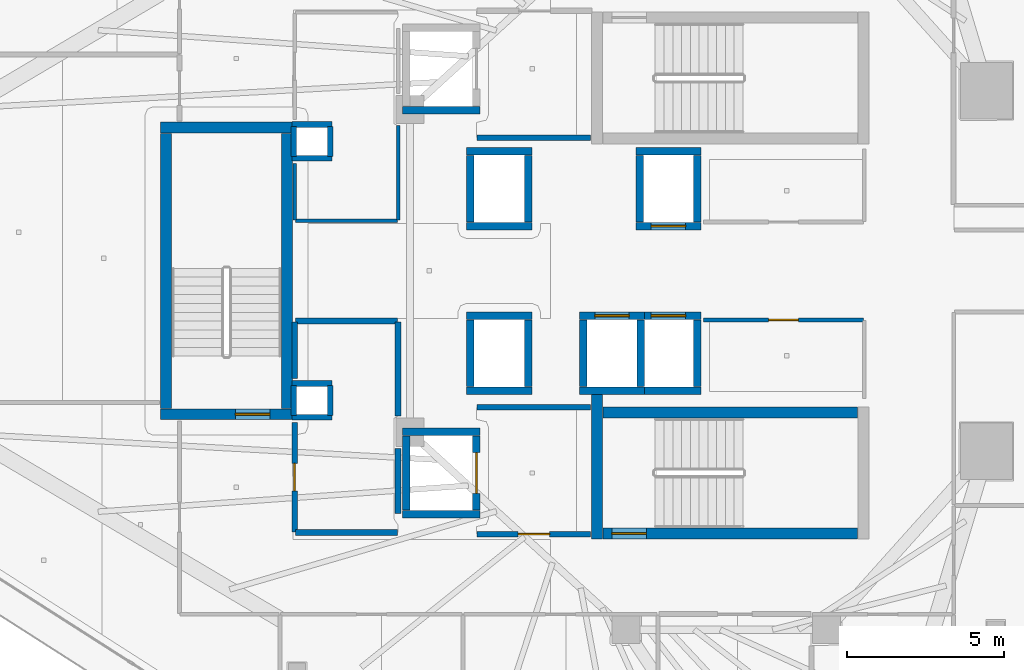
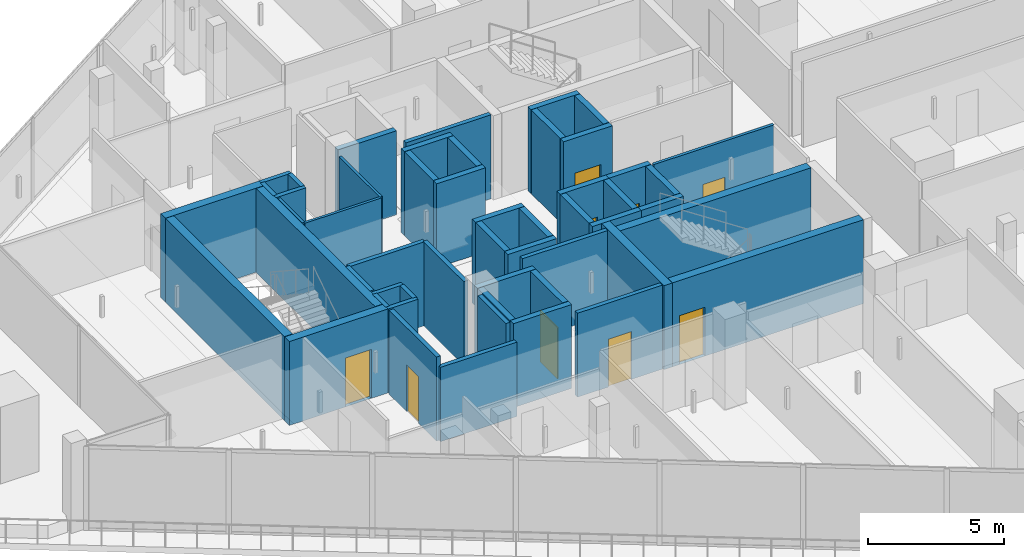
# One storey, part 26 of 36: 52 walls, 9 doors, 9 openings.
"""IFC4 building model written with IfcOpenShell, lengths in metres."""

from ifc_helpers import new_model, si_unit, direction, frame, frame_2d, origin, place, context, subcontext, project, spatial, rectangle, extrude, material, layer, layer_set, type_object, element, fill, save


model = new_model("IFC4")

# Units and contexts
model_context = context("Model", 3, precision=1e-05, world=origin(), true_north=direction((0.0, 1.0)))
body_context = subcontext(model_context, "Body", "Model", "MODEL_VIEW")
ifc_project = project(units=[si_unit("LENGTHUNIT", "METRE"), si_unit("AREAUNIT", "SQUARE_METRE"), si_unit("VOLUMEUNIT", "CUBIC_METRE"), si_unit("PLANEANGLEUNIT", "RADIAN"), si_unit("MASSUNIT", "GRAM", prefix="KILO")], contexts=[model_context])

# Site, building, storey
site_placement = place(None, origin())
site = spatial("IfcSite", under=ifc_project, at=site_placement, CompositionType="ELEMENT")
building_placement = place(site_placement, origin())
building = spatial("IfcBuilding", under=site, at=building_placement, Name="Qorvath Tower", CompositionType="ELEMENT")
storey_placement = place(building_placement, frame((0.0, 0.0, 229.35009765625)))
storey = spatial("IfcBuildingStorey", under=building, at=storey_placement, Name="L53", CompositionType="ELEMENT", Elevation=229.35009765625)

# Walls
ifc_material_1 = material(Name="Gypsum shaftliner on steel studs", Category="steel")
ifc_layer_1 = layer(ifc_material_1, 0.179931640625)
ifc_layer_set_1 = layer_set([ifc_layer_1], Name="FW-LOBBY")
wall_type_1 = type_object("IfcWallType", Name="FW-LOBBY", PredefinedType="PARTITIONING", material=ifc_layer_set_1)
for number, where, z_axis, x_axis, name in (
    (1, (-32.989990234375, 3.594970703125, 0.0), (0.0, 0.0, 1.0), (-1.0, 0.0, 0.0), "MEP Riser Shaft Enclosure Wall N-L53-S"),
    (2, (-34.260009765625, 4.675048828125, 0.0), (0.0, 0.0, 1.0), (1.0, 0.0, 0.0), "MEP Riser Shaft Enclosure Wall N-L53-N"),
):
    element("IfcWall", number, at=place(storey_placement, frame(where, z_axis=z_axis, x_axis=x_axis)), inside=storey, type_object=wall_type_1, Name=name, PredefinedType="PARTITIONING", context=body_context, shape_type="SweptSolid", body=[
        extrude(rectangle(XDim=1.27001953125, YDim=0.179931640625, at=frame_2d((0.635009765625, 0.0))), origin(), (0.0, 0.0, 1.0), 3.77978515625),
    ])
for number, where, z_axis, x_axis, name in (
    (3, (-34.205078125, 3.659912109375, 0.0), (0.0, 0.0, 1.0), (0.0, 1.0, 0.0), "MEP Riser Shaft Enclosure Wall N-L53-W"),
    (4, (-33.044921875, 4.610107421875, 0.0), (0.0, 0.0, 1.0), (0.0, -1.0, 0.0), "MEP Riser Shaft Enclosure Wall N-L53-E"),
):
    element("IfcWall", number, at=place(storey_placement, frame(where, z_axis=z_axis, x_axis=x_axis)), inside=storey, type_object=wall_type_1, Name=name, PredefinedType="PARTITIONING", context=body_context, shape_type="SweptSolid", body=[
        extrude(rectangle(XDim=0.9501953125, YDim=0.179931640625, at=frame_2d((0.47509765625, 0.0))), origin(), (0.0, 0.0, 1.0), 3.77978515625),
    ])
for number, where, z_axis, x_axis, name in (
    (5, (-32.989990234375, -4.675048828125, 0.0), (0.0, 0.0, 1.0), (-1.0, 0.0, 0.0), "MEP Riser Shaft Enclosure Wall S-L53-S"),
    (6, (-34.260009765625, -3.594970703125, 0.0), (0.0, 0.0, 1.0), (1.0, 0.0, 0.0), "MEP Riser Shaft Enclosure Wall S-L53-N"),
):
    element("IfcWall", number, at=place(storey_placement, frame(where, z_axis=z_axis, x_axis=x_axis)), inside=storey, type_object=wall_type_1, Name=name, PredefinedType="PARTITIONING", context=body_context, shape_type="SweptSolid", body=[
        extrude(rectangle(XDim=1.27001953125, YDim=0.179931640625, at=frame_2d((0.635009765625, 0.0))), origin(), (0.0, 0.0, 1.0), 3.77978515625),
    ])
for number, where, z_axis, x_axis, name in (
    (7, (-34.205078125, -4.610107421875, 0.0), (0.0, 0.0, 1.0), (0.0, 1.0, 0.0), "MEP Riser Shaft Enclosure Wall S-L53-W"),
    (8, (-33.044921875, -3.659912109375, 0.0), (0.0, 0.0, 1.0), (0.0, -1.0, 0.0), "MEP Riser Shaft Enclosure Wall S-L53-E"),
):
    element("IfcWall", number, at=place(storey_placement, frame(where, z_axis=z_axis, x_axis=x_axis)), inside=storey, type_object=wall_type_1, Name=name, PredefinedType="PARTITIONING", context=body_context, shape_type="SweptSolid", body=[
        extrude(rectangle(XDim=0.9501953125, YDim=0.179931640625, at=frame_2d((0.47509765625, 0.0))), origin(), (0.0, 0.0, 1.0), 3.77978515625),
    ])
wall_1_placement = place(storey_placement, frame((-28.35498046875, 4.25, 0.0), z_axis=(0.0, 0.0, 1.0), x_axis=(1.0, 0.0, 0.0)))
element("IfcWall", 9, at=wall_1_placement, inside=storey, type_object=wall_type_1, Name="Interior Partition IW-T1-L53-001", PredefinedType="PARTITIONING", context=body_context, shape_type="SweptSolid", body=[
    extrude(rectangle(XDim=3.6220703125, YDim=0.179931640625, at=frame_2d((1.81103515625, 0.0))), origin(), (0.0, 0.0, 1.0), 3.77978515625),
])

# Wall, opening, door
wall_2_placement = place(storey_placement, frame((-28.35498046875, -8.39990234375, 0.0), z_axis=(0.0, 0.0, 1.0), x_axis=(1.0, 0.0, 0.0)))
wall_2 = element("IfcWall", 10, at=wall_2_placement, inside=storey, type_object=wall_type_1, Name="Interior Partition IW-T1-L53-003", PredefinedType="PARTITIONING", context=body_context, shape_type="SweptSolid", body=[
    extrude(rectangle(XDim=3.6220703125, YDim=0.179931640625, at=frame_2d((1.81103515625, 0.0))), origin(), (0.0, 0.0, 1.0), 3.77978515625),
])
opening_1_placement = place(wall_2_placement, frame((1.31103515625, 0.0, 0.0)))
opening_1 = element("IfcOpeningElement", 11, at=opening_1_placement, cuts=wall_2, Name="Opening D-T1-L53-20", PredefinedType="OPENING", context=body_context, shape_type="SweptSolid", body=[
    extrude(rectangle(XDim=1.0, YDim=2.14990234375, at=frame_2d((0.5, 1.074951171875))), frame((0.0, 0.10009765625, 0.0), z_axis=(0.0, -1.0, 0.0), x_axis=(1.0, 0.0, 0.0)), (0.0, 0.0, 1.0), 0.199951171875),
])
ifc_material_2 = material(Name="Painted galvanised hollow metal", Category="steel")
door_type_1 = type_object("IfcDoorType", Name="FD-60", OperationType="NOTDEFINED", PredefinedType="DOOR", material=ifc_material_2)
door_1_placement = place(opening_1_placement, origin())
door_1 = element("IfcDoor", 12, at=door_1_placement, inside=storey, type_object=door_type_1, Name="Lobby Fire Service Elevator South Door D-T1-L53-20", OperationType="SINGLE_SWING_LEFT", OverallHeight=2.14990234375, OverallWidth=1.0, PredefinedType="DOOR", context=body_context, shape_type="SweptSolid", body=[
    extrude(rectangle(XDim=1.0, YDim=2.14990234375, at=frame_2d((0.5, 1.074951171875))), frame((0.0, 0.02490234375, 0.0), z_axis=(0.0, -1.0, 0.0), x_axis=(1.0, 0.0, 0.0)), (0.0, 0.0, 1.0), 0.050048828125),
])
fill(opening_1, door_1)

# Walls
wall_3_placement = place(storey_placement, frame((-24.73291015625, -4.35009765625, 0.0), z_axis=(0.0, 0.0, 1.0), x_axis=(-1.0, 0.0, 0.0)))
element("IfcWall", 13, at=wall_3_placement, inside=storey, type_object=wall_type_1, Name="Interior Partition IW-T1-L53-004", PredefinedType="PARTITIONING", context=body_context, shape_type="SweptSolid", body=[
    extrude(rectangle(XDim=3.6220703125, YDim=0.179931640625, at=frame_2d((1.81103515625, 0.0))), origin(), (0.0, 0.0, 1.0), 3.77978515625),
])
wall_4_placement = place(storey_placement, frame((-34.15478515625, -8.35009765625, 0.0), z_axis=(0.0, 0.0, 1.0), x_axis=(1.0, 0.0, 0.0)))
element("IfcWall", 14, at=wall_4_placement, inside=storey, type_object=wall_type_1, Name="Interior Partition IW-T1-L53-015", PredefinedType="PARTITIONING", context=body_context, shape_type="SweptSolid", body=[
    extrude(rectangle(XDim=3.25, YDim=0.179931640625, at=frame_2d((1.625, 0.0))), origin(), (0.0, 0.0, 1.0), 3.343994140625),
])
wall_5_placement = place(storey_placement, frame((-30.8798828125, -7.742919921875, 0.0), z_axis=(0.0, 0.0, 1.0), x_axis=(0.0, 1.0, 0.0)))
element("IfcWall", 15, at=wall_5_placement, inside=storey, type_object=wall_type_1, Name="Interior Partition IW-T1-L53-016", PredefinedType="PARTITIONING", context=body_context, shape_type="SweptSolid", body=[
    extrude(rectangle(XDim=2.077880859375, YDim=0.179931640625, at=frame_2d((1.0390625, 0.0))), origin(), (0.0, 0.0, 1.0), 3.77978515625),
])
wall_6_placement = place(storey_placement, frame((-30.8798828125, -4.635009765625, 0.0), z_axis=(0.0, 0.0, 1.0), x_axis=(0.0, 1.0, 0.0)))
element("IfcWall", 16, at=wall_6_placement, inside=storey, type_object=wall_type_1, Name="Interior Partition IW-T1-L53-017", PredefinedType="PARTITIONING", context=body_context, shape_type="SweptSolid", body=[
    extrude(rectangle(XDim=3.010009765625, YDim=0.179931640625, at=frame_2d((1.5048828125, 0.0))), origin(), (0.0, 0.0, 1.0), 3.77978515625),
])
wall_7_placement = place(storey_placement, frame((-30.90478515625, -1.60009765625, 0.0), z_axis=(0.0, 0.0, 1.0), x_axis=(-1.0, 0.0, 0.0)))
element("IfcWall", 17, at=wall_7_placement, inside=storey, type_object=wall_type_1, Name="Interior Partition IW-T1-L53-018", PredefinedType="PARTITIONING", context=body_context, shape_type="SweptSolid", body=[
    extrude(rectangle(XDim=3.25, YDim=0.179931640625, at=frame_2d((1.625, 0.0))), origin(), (0.0, 0.0, 1.0), 3.77978515625),
])
wall_8_placement = place(storey_placement, frame((-34.179931640625, -1.625, 0.0), z_axis=(0.0, 0.0, 1.0), x_axis=(0.0, -1.0, 0.0)))
element("IfcWall", 18, at=wall_8_placement, inside=storey, type_object=wall_type_1, Name="Interior Partition IW-T1-L53-019", PredefinedType="PARTITIONING", context=body_context, shape_type="SweptSolid", body=[
    extrude(rectangle(XDim=1.804931640625, YDim=0.179931640625, at=frame_2d((0.90234375, 0.0))), origin(), (0.0, 0.0, 1.0), 3.77978515625),
])

# Wall, opening, door
wall_9_placement = place(storey_placement, frame((-34.179931640625, -4.840087890625, 0.0), z_axis=(0.0, 0.0, 1.0), x_axis=(0.0, -1.0, 0.0)))
wall_9 = element("IfcWall", 19, at=wall_9_placement, inside=storey, type_object=wall_type_1, Name="Interior Partition IW-T1-L53-020", PredefinedType="PARTITIONING", context=body_context, shape_type="SweptSolid", body=[
    extrude(rectangle(XDim=3.485107421875, YDim=0.179931640625, at=frame_2d((1.74267578125, 0.0))), origin(), (0.0, 0.0, 1.0), 3.77978515625),
])
opening_2_placement = place(wall_9_placement, frame((1.302490234375, 0.0, 0.0)))
opening_2 = element("IfcOpeningElement", 20, at=opening_2_placement, cuts=wall_9, Name="Opening D-T1-L53-04", PredefinedType="OPENING", context=body_context, shape_type="SweptSolid", body=[
    extrude(rectangle(XDim=0.8798828125, YDim=2.10009765625, at=frame_2d((0.43994140625, 1.050048828125))), frame((0.0, 0.10009765625, 0.0), z_axis=(0.0, -1.0, 0.0), x_axis=(1.0, 0.0, 0.0)), (0.0, 0.0, 1.0), 0.199951171875),
])
ifc_material_3 = material(Name="Painted galvanised hollow metal", Category="steel")
door_type_2 = type_object("IfcDoorType", Name="FD-60N", OperationType="NOTDEFINED", PredefinedType="DOOR", material=ifc_material_3)
door_2_placement = place(opening_2_placement, origin())
door_2 = element("IfcDoor", 21, at=door_2_placement, inside=storey, type_object=door_type_2, Name="Core electrical and cleaner room L53 Door D-T1-L53-04", OperationType="SINGLE_SWING_LEFT", OverallHeight=2.10009765625, OverallWidth=0.8798828125, PredefinedType="DOOR", context=body_context, shape_type="SweptSolid", body=[
    extrude(rectangle(XDim=0.8798828125, YDim=2.10009765625, at=frame_2d((0.43994140625, 1.050048828125))), frame((0.0, 0.02490234375, 0.0), z_axis=(0.0, -1.0, 0.0), x_axis=(1.0, 0.0, 0.0)), (0.0, 0.0, 1.0), 0.050048828125),
])
fill(opening_2, door_2)

ifc_material_4 = material(Name="Gypsum board on metal studs with mineral wool", Category="gypsum")
ifc_layer_2 = layer(ifc_material_4, 0.125)
ifc_layer_set_2 = layer_set([ifc_layer_2], Name="IW-PART-125")
wall_type_2 = type_object("IfcWallType", Name="IW-PART-125", PredefinedType="PARTITIONING", material=ifc_layer_set_2)
wall_10_placement = place(storey_placement, frame((-16.02490234375, -1.56005859375, 0.0), z_axis=(0.0, 0.0, 1.0), x_axis=(-1.0, 0.0, 0.0)))
wall_10 = element("IfcWall", 22, at=wall_10_placement, inside=storey, type_object=wall_type_2, Name="Interior Partition IW-T1-L53-014", PredefinedType="PARTITIONING", context=body_context, shape_type="SweptSolid", body=[
    extrude(rectangle(XDim=5.10888671875, YDim=0.125, at=frame_2d((2.554443359375, 0.0))), origin(), (0.0, 0.0, 1.0), 3.77978515625),
])
opening_3_placement = place(wall_10_placement, frame((2.079345703125, 0.0, 0.0)))
opening_3 = element("IfcOpeningElement", 23, at=opening_3_placement, cuts=wall_10, Name="Opening D-T1-L53-03", PredefinedType="OPENING", context=body_context, shape_type="SweptSolid", body=[
    extrude(rectangle(XDim=0.949951171875, YDim=2.14990234375, at=frame_2d((0.47509765625, 1.074951171875))), frame((0.0, 0.072509765625, 0.0), z_axis=(0.0, -1.0, 0.0), x_axis=(1.0, 0.0, 0.0)), (0.0, 0.0, 1.0), 0.14501953125),
])
ifc_material_5 = material(Name="Solid-core American white oak veneer", Category="wood")
door_type_3 = type_object("IfcDoorType", Name="D-01", OperationType="NOTDEFINED", PredefinedType="DOOR", material=ifc_material_5)
door_3_placement = place(opening_3_placement, origin())
door_3 = element("IfcDoor", 24, at=door_3_placement, inside=storey, type_object=door_type_3, Name="L53-RCS South Quantitative Server Suite Door D-T1-L53-03", OperationType="SINGLE_SWING_RIGHT", OverallHeight=2.14990234375, OverallWidth=0.949951171875, PredefinedType="DOOR", context=body_context, shape_type="SweptSolid", body=[
    extrude(rectangle(XDim=0.949951171875, YDim=2.14990234375, at=frame_2d((0.47509765625, 1.074951171875))), frame((0.0, 0.02490234375, 0.0), z_axis=(0.0, -1.0, 0.0), x_axis=(1.0, 0.0, 0.0)), (0.0, 0.0, 1.0), 0.050048828125),
])
fill(opening_3, door_3)

# Walls
ifc_material_6 = material(Name="Moisture-resistant cement board on metal studs", Category="gypsum")
ifc_layer_3 = layer(ifc_material_6, 0.110107421875)
ifc_layer_set_3 = layer_set([ifc_layer_3], Name="IW-WC-110")
wall_type_3 = type_object("IfcWallType", Name="IW-WC-110", PredefinedType="PARTITIONING", material=ifc_layer_set_3)
wall_11_placement = place(storey_placement, frame((-34.15478515625, 1.60009765625, 0.0), z_axis=(0.0, 0.0, 1.0), x_axis=(1.0, 0.0, 0.0)))
element("IfcWall", 25, at=wall_11_placement, inside=storey, type_object=wall_type_3, Name="Interior Partition IW-T1-L53-005", PredefinedType="PARTITIONING", context=body_context, shape_type="SweptSolid", body=[
    extrude(rectangle(XDim=3.25, YDim=0.110107421875, at=frame_2d((1.625, 0.0))), origin(), (0.0, 0.0, 1.0), 3.77978515625),
])
wall_12_placement = place(storey_placement, frame((-30.8798828125, 1.625, 0.0), z_axis=(0.0, 0.0, 1.0), x_axis=(0.0, 1.0, 0.0)))
element("IfcWall", 26, at=wall_12_placement, inside=storey, type_object=wall_type_3, Name="Interior Partition IW-T1-L53-006", PredefinedType="PARTITIONING", context=body_context, shape_type="SweptSolid", body=[
    extrude(rectangle(XDim=3.010009765625, YDim=0.110107421875, at=frame_2d((1.5048828125, 0.0))), origin(), (0.0, 0.0, 1.0), 3.77978515625),
])
wall_13_placement = place(storey_placement, frame((-34.179931640625, 3.429931640625, 0.0), z_axis=(0.0, 0.0, 1.0), x_axis=(0.0, -1.0, 0.0)))
element("IfcWall", 27, at=wall_13_placement, inside=storey, type_object=wall_type_3, Name="Interior Partition IW-T1-L53-010", PredefinedType="PARTITIONING", context=body_context, shape_type="SweptSolid", body=[
    extrude(rectangle(XDim=1.804931640625, YDim=0.110107421875, at=frame_2d((0.90234375, 0.0))), origin(), (0.0, 0.0, 1.0), 3.77978515625),
])
ifc_material_7 = material(Name="Concrete C60/75", Category="concrete")
ifc_layer_4 = layer(ifc_material_7, 0.260009765625)
ifc_layer_set_4 = layer_set([ifc_layer_4], Name="SW-SHAFT")
wall_type_4 = type_object("IfcWallType", Name="SW-SHAFT", PredefinedType="SHEAR", material=ifc_layer_set_4)
for number, where, z_axis, x_axis, name in (
    (28, (-28.260009765625, 5.1298828125, 0.0), (0.0, 0.0, 1.0), (-1.0, 0.0, 0.0), "Hoistway Wall FSAE-1 L53 S"),
    (29, (-28.260009765625, -7.77001953125, 0.0), (0.0, 0.0, 1.0), (-1.0, 0.0, 0.0), "Hoistway Wall FSAE-2 L53 S"),
    (30, (-30.739990234375, -5.1298828125, 0.0), (0.0, 0.0, 1.0), (1.0, 0.0, 0.0), "Hoistway Wall FSAE-2 L53 N"),
):
    element("IfcWall", number, at=place(storey_placement, frame(where, z_axis=z_axis, x_axis=x_axis)), inside=storey, type_object=wall_type_4, Name=name, PredefinedType="SHEAR", context=body_context, shape_type="SweptSolid", body=[
        extrude(rectangle(XDim=2.47998046875, YDim=0.239990234375, at=frame_2d((1.239990234375, 0.0))), origin(), (0.0, 0.0, 1.0), 3.77978515625),
    ])
wall_14_placement = place(storey_placement, frame((-30.6201171875, -7.637939453125, 0.0), z_axis=(0.0, 0.0, 1.0), x_axis=(0.0, 1.0, 0.0)))
element("IfcWall", 31, at=wall_14_placement, inside=storey, type_object=wall_type_4, Name="Hoistway Wall FSAE-2 L53 W", PredefinedType="SHEAR", context=body_context, shape_type="SweptSolid", body=[
    extrude(rectangle(XDim=2.3759765625, YDim=0.239990234375, at=frame_2d((1.18798828125, 0.0))), origin(), (0.0, 0.0, 1.0), 3.77978515625),
])

# Wall, opening, door
wall_15_placement = place(storey_placement, frame((-28.3798828125, -5.261962890625, 0.0), z_axis=(0.0, 0.0, 1.0), x_axis=(0.0, -1.0, 0.0)))
wall_15 = element("IfcWall", 32, at=wall_15_placement, inside=storey, type_object=wall_type_4, Name="Hoistway Wall FSAE-2 L53 E", PredefinedType="SHEAR", context=body_context, shape_type="SweptSolid", body=[
    extrude(rectangle(XDim=2.3759765625, YDim=0.239990234375, at=frame_2d((1.18798828125, 0.0))), origin(), (0.0, 0.0, 1.0), 3.77978515625),
])
opening_4_placement = place(wall_15_placement, frame((0.5380859375, 0.0, 0.0)))
opening_4 = element("IfcOpeningElement", 33, at=opening_4_placement, cuts=wall_15, Name="Opening LD-FSAE-2-L53", PredefinedType="OPENING", context=body_context, shape_type="SweptSolid", body=[
    extrude(rectangle(XDim=1.300048828125, YDim=2.300048828125, at=frame_2d((0.64990234375, 1.14990234375))), frame((0.0, 0.1298828125, 0.0), z_axis=(0.0, -1.0, 0.0), x_axis=(1.0, 0.0, 0.0)), (0.0, 0.0, 1.0), 0.260009765625),
])
ifc_material_8 = material(Name="Brushed stainless steel AISI 316", Category="steel")
door_type_4 = type_object("IfcDoorType", Name="LD-02", OperationType="NOTDEFINED", PredefinedType="DOOR", material=ifc_material_8)
door_4_placement = place(opening_4_placement, origin())
door_4 = element("IfcDoor", 34, at=door_4_placement, inside=storey, type_object=door_type_4, Name="Elevator Landing Sliding Door LD-FSAE-2-L53", OperationType="DOUBLE_DOOR_SLIDING", OverallHeight=2.300048828125, OverallWidth=1.300048828125, PredefinedType="DOOR", context=body_context, shape_type="SweptSolid", body=[
    extrude(rectangle(XDim=1.300048828125, YDim=2.300048828125, at=frame_2d((0.64990234375, 1.14990234375))), frame((0.0, 0.02490234375, 0.0), z_axis=(0.0, -1.0, 0.0), x_axis=(1.0, 0.0, 0.0)), (0.0, 0.0, 1.0), 0.050048828125),
])
fill(opening_4, door_4)

# Walls
for number, where, z_axis, x_axis, name in (
    (35, (-26.610107421875, 1.429931640625, 0.0), (0.0, 0.0, 1.0), (-1.0, 0.0, 0.0), "Hoistway Wall PS-1 L53 S"),
    (36, (-28.68994140625, 3.820068359375, 0.0), (0.0, 0.0, 1.0), (1.0, 0.0, 0.0), "Hoistway Wall PS-1 L53 N"),
):
    element("IfcWall", number, at=place(storey_placement, frame(where, z_axis=z_axis, x_axis=x_axis)), inside=storey, type_object=wall_type_4, Name=name, PredefinedType="SHEAR", context=body_context, shape_type="SweptSolid", body=[
        extrude(rectangle(XDim=2.079833984375, YDim=0.239990234375, at=frame_2d((1.0400390625, 0.0))), origin(), (0.0, 0.0, 1.0), 3.77978515625),
    ])
for number, where, z_axis, x_axis, name in (
    (37, (-28.570068359375, 1.56201171875, 0.0), (0.0, 0.0, 1.0), (0.0, 1.0, 0.0), "Hoistway Wall PS-1 L53 W"),
    (38, (-26.72998046875, 3.68798828125, 0.0), (0.0, 0.0, 1.0), (0.0, -1.0, 0.0), "Hoistway Wall PS-1 L53 E"),
):
    element("IfcWall", number, at=place(storey_placement, frame(where, z_axis=z_axis, x_axis=x_axis)), inside=storey, type_object=wall_type_4, Name=name, PredefinedType="SHEAR", context=body_context, shape_type="SweptSolid", body=[
        extrude(rectangle(XDim=2.1259765625, YDim=0.239990234375, at=frame_2d((1.06298828125, 0.0))), origin(), (0.0, 0.0, 1.0), 3.77978515625),
    ])

# Wall, opening, door
wall_16_placement = place(storey_placement, frame((-21.2099609375, 1.429931640625, 0.0), z_axis=(0.0, 0.0, 1.0), x_axis=(-1.0, 0.0, 0.0)))
wall_16 = element("IfcWall", 39, at=wall_16_placement, inside=storey, type_object=wall_type_4, Name="Hoistway Wall PU-1 L53 S", PredefinedType="SHEAR", context=body_context, shape_type="SweptSolid", body=[
    extrude(rectangle(XDim=2.080078125, YDim=0.239990234375, at=frame_2d((1.0400390625, 0.0))), origin(), (0.0, 0.0, 1.0), 3.77978515625),
])
opening_5_placement = place(wall_16_placement, frame((0.489990234375, 0.0, 0.0)))
opening_5 = element("IfcOpeningElement", 40, at=opening_5_placement, cuts=wall_16, Name="Opening LD-PU-1-L53", PredefinedType="OPENING", context=body_context, shape_type="SweptSolid", body=[
    extrude(rectangle(XDim=1.10009765625, YDim=2.199951171875, at=frame_2d((0.550048828125, 1.10009765625))), frame((0.0, 0.1298828125, 0.0), z_axis=(0.0, -1.0, 0.0), x_axis=(1.0, 0.0, 0.0)), (0.0, 0.0, 1.0), 0.260009765625),
])
ifc_material_9 = material(Name="Brushed stainless steel AISI 316", Category="steel")
door_type_5 = type_object("IfcDoorType", Name="LD-01", OperationType="NOTDEFINED", PredefinedType="DOOR", material=ifc_material_9)
door_5_placement = place(opening_5_placement, origin())
door_5 = element("IfcDoor", 41, at=door_5_placement, inside=storey, type_object=door_type_5, Name="Elevator Landing Sliding Door LD-PU-1-L53", OperationType="DOUBLE_DOOR_SLIDING", OverallHeight=2.199951171875, OverallWidth=1.10009765625, PredefinedType="DOOR", context=body_context, shape_type="SweptSolid", body=[
    extrude(rectangle(XDim=1.10009765625, YDim=2.199951171875, at=frame_2d((0.550048828125, 1.10009765625))), frame((0.0, 0.02490234375, 0.0), z_axis=(0.0, -1.0, 0.0), x_axis=(1.0, 0.0, 0.0)), (0.0, 0.0, 1.0), 0.050048828125),
])
fill(opening_5, door_5)

# Walls
wall_17_placement = place(storey_placement, frame((-23.2900390625, 3.820068359375, 0.0), z_axis=(0.0, 0.0, 1.0), x_axis=(1.0, 0.0, 0.0)))
element("IfcWall", 42, at=wall_17_placement, inside=storey, type_object=wall_type_4, Name="Hoistway Wall PU-1 L53 N", PredefinedType="SHEAR", context=body_context, shape_type="SweptSolid", body=[
    extrude(rectangle(XDim=2.080078125, YDim=0.239990234375, at=frame_2d((1.0400390625, 0.0))), origin(), (0.0, 0.0, 1.0), 3.77978515625),
])
for number, where, z_axis, x_axis, name in (
    (43, (-23.169921875, 1.56201171875, 0.0), (0.0, 0.0, 1.0), (0.0, 1.0, 0.0), "Hoistway Wall PU-1 L53 W"),
    (44, (-21.330078125, 3.68798828125, 0.0), (0.0, 0.0, 1.0), (0.0, -1.0, 0.0), "Hoistway Wall PU-1 L53 E"),
):
    element("IfcWall", number, at=place(storey_placement, frame(where, z_axis=z_axis, x_axis=x_axis)), inside=storey, type_object=wall_type_4, Name=name, PredefinedType="SHEAR", context=body_context, shape_type="SweptSolid", body=[
        extrude(rectangle(XDim=2.1259765625, YDim=0.239990234375, at=frame_2d((1.06298828125, 0.0))), origin(), (0.0, 0.0, 1.0), 3.77978515625),
    ])
for number, where, z_axis, x_axis, name in (
    (45, (-26.610107421875, -3.820068359375, 0.0), (0.0, 0.0, 1.0), (-1.0, 0.0, 0.0), "Hoistway Wall PS-2 L53 S"),
    (46, (-28.68994140625, -1.429931640625, 0.0), (0.0, 0.0, 1.0), (1.0, 0.0, 0.0), "Hoistway Wall PS-2 L53 N"),
):
    element("IfcWall", number, at=place(storey_placement, frame(where, z_axis=z_axis, x_axis=x_axis)), inside=storey, type_object=wall_type_4, Name=name, PredefinedType="SHEAR", context=body_context, shape_type="SweptSolid", body=[
        extrude(rectangle(XDim=2.079833984375, YDim=0.239990234375, at=frame_2d((1.0400390625, 0.0))), origin(), (0.0, 0.0, 1.0), 3.77978515625),
    ])
for number, where, z_axis, x_axis, name in (
    (47, (-28.570068359375, -3.68798828125, 0.0), (0.0, 0.0, 1.0), (0.0, 1.0, 0.0), "Hoistway Wall PS-2 L53 W"),
    (48, (-26.72998046875, -1.56201171875, 0.0), (0.0, 0.0, 1.0), (0.0, -1.0, 0.0), "Hoistway Wall PS-2 L53 E"),
):
    element("IfcWall", number, at=place(storey_placement, frame(where, z_axis=z_axis, x_axis=x_axis)), inside=storey, type_object=wall_type_4, Name=name, PredefinedType="SHEAR", context=body_context, shape_type="SweptSolid", body=[
        extrude(rectangle(XDim=2.1259765625, YDim=0.239990234375, at=frame_2d((1.06298828125, 0.0))), origin(), (0.0, 0.0, 1.0), 3.77978515625),
    ])
wall_18_placement = place(storey_placement, frame((-23.010009765625, -3.820068359375, 0.0), z_axis=(0.0, 0.0, 1.0), x_axis=(-1.0, 0.0, 0.0)))
element("IfcWall", 49, at=wall_18_placement, inside=storey, type_object=wall_type_4, Name="Hoistway Wall PU-2 L53 S", PredefinedType="SHEAR", context=body_context, shape_type="SweptSolid", body=[
    extrude(rectangle(XDim=2.080078125, YDim=0.239990234375, at=frame_2d((1.0400390625, 0.0))), origin(), (0.0, 0.0, 1.0), 3.77978515625),
])

# Wall, opening, door
wall_19_placement = place(storey_placement, frame((-25.090087890625, -1.429931640625, 0.0), z_axis=(0.0, 0.0, 1.0), x_axis=(1.0, 0.0, 0.0)))
wall_19 = element("IfcWall", 50, at=wall_19_placement, inside=storey, type_object=wall_type_4, Name="Hoistway Wall PU-2 L53 N", PredefinedType="SHEAR", context=body_context, shape_type="SweptSolid", body=[
    extrude(rectangle(XDim=2.080078125, YDim=0.239990234375, at=frame_2d((1.0400390625, 0.0))), origin(), (0.0, 0.0, 1.0), 3.77978515625),
])
opening_6_placement = place(wall_19_placement, frame((0.489990234375, 0.0, 0.0)))
opening_6 = element("IfcOpeningElement", 51, at=opening_6_placement, cuts=wall_19, Name="Opening LD-PU-2-L53", PredefinedType="OPENING", context=body_context, shape_type="SweptSolid", body=[
    extrude(rectangle(XDim=1.10009765625, YDim=2.199951171875, at=frame_2d((0.550048828125, 1.10009765625))), frame((0.0, 0.1298828125, 0.0), z_axis=(0.0, -1.0, 0.0), x_axis=(1.0, 0.0, 0.0)), (0.0, 0.0, 1.0), 0.260009765625),
])
door_6_placement = place(opening_6_placement, origin())
door_6 = element("IfcDoor", 52, at=door_6_placement, inside=storey, type_object=door_type_5, Name="Elevator Landing Sliding Door LD-PU-2-L53", OperationType="DOUBLE_DOOR_SLIDING", OverallHeight=2.199951171875, OverallWidth=1.10009765625, PredefinedType="DOOR", context=body_context, shape_type="SweptSolid", body=[
    extrude(rectangle(XDim=1.10009765625, YDim=2.199951171875, at=frame_2d((0.550048828125, 1.10009765625))), frame((0.0, 0.02490234375, 0.0), z_axis=(0.0, -1.0, 0.0), x_axis=(1.0, 0.0, 0.0)), (0.0, 0.0, 1.0), 0.050048828125),
])
fill(opening_6, door_6)

# Walls
for number, where, z_axis, x_axis, name in (
    (53, (-24.969970703125, -3.68798828125, 0.0), (0.0, 0.0, 1.0), (0.0, 1.0, 0.0), "Hoistway Wall PU-2 L53 W"),
    (54, (-23.1298828125, -1.56201171875, 0.0), (0.0, 0.0, 1.0), (0.0, -1.0, 0.0), "Hoistway Wall PU-2 L53 E"),
):
    element("IfcWall", number, at=place(storey_placement, frame(where, z_axis=z_axis, x_axis=x_axis)), inside=storey, type_object=wall_type_4, Name=name, PredefinedType="SHEAR", context=body_context, shape_type="SweptSolid", body=[
        extrude(rectangle(XDim=2.1259765625, YDim=0.239990234375, at=frame_2d((1.06298828125, 0.0))), origin(), (0.0, 0.0, 1.0), 3.77978515625),
    ])
wall_20_placement = place(storey_placement, frame((-21.2099609375, -3.820068359375, 0.0), z_axis=(0.0, 0.0, 1.0), x_axis=(-1.0, 0.0, 0.0)))
element("IfcWall", 55, at=wall_20_placement, inside=storey, type_object=wall_type_4, Name="Hoistway Wall PU-3 L53 S", PredefinedType="SHEAR", context=body_context, shape_type="SweptSolid", body=[
    extrude(rectangle(XDim=1.800048828125, YDim=0.239990234375, at=frame_2d((0.89990234375, 0.0))), origin(), (0.0, 0.0, 1.0), 3.77978515625),
])

# Wall, opening, door
wall_21_placement = place(storey_placement, frame((-23.010009765625, -1.429931640625, 0.0), z_axis=(0.0, 0.0, 1.0), x_axis=(1.0, 0.0, 0.0)))
wall_21 = element("IfcWall", 56, at=wall_21_placement, inside=storey, type_object=wall_type_4, Name="Hoistway Wall PU-3 L53 N", PredefinedType="SHEAR", context=body_context, shape_type="SweptSolid", body=[
    extrude(rectangle(XDim=1.800048828125, YDim=0.239990234375, at=frame_2d((0.89990234375, 0.0))), origin(), (0.0, 0.0, 1.0), 3.77978515625),
])
opening_7_placement = place(wall_21_placement, frame((0.2099609375, 0.0, 0.0)))
opening_7 = element("IfcOpeningElement", 57, at=opening_7_placement, cuts=wall_21, Name="Opening LD-PU-3-L53", PredefinedType="OPENING", context=body_context, shape_type="SweptSolid", body=[
    extrude(rectangle(XDim=1.10009765625, YDim=2.199951171875, at=frame_2d((0.550048828125, 1.10009765625))), frame((0.0, 0.1298828125, 0.0), z_axis=(0.0, -1.0, 0.0), x_axis=(1.0, 0.0, 0.0)), (0.0, 0.0, 1.0), 0.260009765625),
])
door_7_placement = place(opening_7_placement, origin())
door_7 = element("IfcDoor", 58, at=door_7_placement, inside=storey, type_object=door_type_5, Name="Elevator Landing Sliding Door LD-PU-3-L53", OperationType="DOUBLE_DOOR_SLIDING", OverallHeight=2.199951171875, OverallWidth=1.10009765625, PredefinedType="DOOR", context=body_context, shape_type="SweptSolid", body=[
    extrude(rectangle(XDim=1.10009765625, YDim=2.199951171875, at=frame_2d((0.550048828125, 1.10009765625))), frame((0.0, 0.02490234375, 0.0), z_axis=(0.0, -1.0, 0.0), x_axis=(1.0, 0.0, 0.0)), (0.0, 0.0, 1.0), 0.050048828125),
])
fill(opening_7, door_7)

# Walls
wall_22_placement = place(storey_placement, frame((-21.330078125, -1.56201171875, 0.0), z_axis=(0.0, 0.0, 1.0), x_axis=(0.0, -1.0, 0.0)))
element("IfcWall", 59, at=wall_22_placement, inside=storey, type_object=wall_type_4, Name="Hoistway Wall PU-3 L53 E", PredefinedType="SHEAR", context=body_context, shape_type="SweptSolid", body=[
    extrude(rectangle(XDim=2.1259765625, YDim=0.239990234375, at=frame_2d((1.06298828125, 0.0))), origin(), (0.0, 0.0, 1.0), 3.77978515625),
])
ifc_material_10 = material(Name="Concrete C60/75", Category="concrete")
ifc_layer_5 = layer(ifc_material_10, 0.35009765625)
ifc_layer_set_5 = layer_set([ifc_layer_5], Name="SW-STAIR")
wall_type_5 = type_object("IfcWallType", Name="SW-STAIR", PredefinedType="SHEAR", material=ifc_layer_set_5)
wall_23_placement = place(storey_placement, frame((-24.52490234375, -3.93994140625, 0.0), z_axis=(0.0, 0.0, 1.0), x_axis=(0.0, -1.0, 0.0)))
element("IfcWall", 60, at=wall_23_placement, inside=storey, type_object=wall_type_5, Name="Stair TS2 Shear Wall L53 NEAR", PredefinedType="SHEAR", context=body_context, shape_type="SweptSolid", body=[
    extrude(rectangle(XDim=4.610107421875, YDim=0.35009765625, at=frame_2d((2.30517578125, 0.0))), origin(), (0.0, 0.0, 1.0), 3.77978515625),
])

# Wall, opening, door
wall_24_placement = place(storey_placement, frame((-24.3349609375, -8.375, 0.0), z_axis=(0.0, 0.0, 1.0), x_axis=(1.0, 0.0, 0.0)))
wall_24 = element("IfcWall", 61, at=wall_24_placement, inside=storey, type_object=wall_type_5, Name="Stair TS2 Shear Wall L53 LEFT", PredefinedType="SHEAR", context=body_context, shape_type="SweptSolid", body=[
    extrude(rectangle(XDim=8.119873046875, YDim=0.35009765625, at=frame_2d((4.06005859375, 0.0))), origin(), (0.0, 0.0, 1.0), 3.77978515625),
])
opening_8_placement = place(wall_24_placement, frame((0.280029296875, 0.0, 0.0)))
opening_8 = element("IfcOpeningElement", 62, at=opening_8_placement, cuts=wall_24, Name="Opening D-TS2-L53", PredefinedType="OPENING", context=body_context, shape_type="SweptSolid", body=[
    extrude(rectangle(XDim=1.10009765625, YDim=2.199951171875, at=frame_2d((0.550048828125, 1.10009765625))), frame((0.0, 0.18505859375, 0.0), z_axis=(0.0, -1.0, 0.0), x_axis=(1.0, 0.0, 0.0)), (0.0, 0.0, 1.0), 0.3701171875),
])
ifc_material_11 = material(Name="Painted galvanised hollow metal", Category="steel")
door_type_6 = type_object("IfcDoorType", Name="FD-90", OperationType="NOTDEFINED", PredefinedType="DOOR", material=ifc_material_11)
door_8_placement = place(opening_8_placement, origin())
door_8 = element("IfcDoor", 63, at=door_8_placement, inside=storey, type_object=door_type_6, Name="Stair TS2 Fire Door L53", OperationType="SINGLE_SWING_RIGHT", OverallHeight=2.199951171875, OverallWidth=1.10009765625, PredefinedType="DOOR", context=body_context, shape_type="SweptSolid", body=[
    extrude(rectangle(XDim=1.10009765625, YDim=2.199951171875, at=frame_2d((0.550048828125, 1.10009765625))), frame((0.0, 0.02490234375, 0.0), z_axis=(0.0, -1.0, 0.0), x_axis=(1.0, 0.0, 0.0)), (0.0, 0.0, 1.0), 0.050048828125),
])
fill(opening_8, door_8)

# Wall
wall_25_placement = place(storey_placement, frame((-16.215087890625, -4.514892578125, 0.0), z_axis=(0.0, 0.0, 1.0), x_axis=(-1.0, 0.0, 0.0)))
element("IfcWall", 64, at=wall_25_placement, inside=storey, type_object=wall_type_5, Name="Stair TS2 Shear Wall L53 RIGHT", PredefinedType="SHEAR", context=body_context, shape_type="SweptSolid", body=[
    extrude(rectangle(XDim=8.119873046875, YDim=0.35009765625, at=frame_2d((4.06005859375, 0.0))), origin(), (0.0, 0.0, 1.0), 3.77978515625),
])

# Wall, opening, door
wall_26_placement = place(storey_placement, frame((-38.4599609375, -4.574951171875, 0.0), z_axis=(0.0, 0.0, 1.0), x_axis=(1.0, 0.0, 0.0)))
wall_26 = element("IfcWall", 65, at=wall_26_placement, inside=storey, type_object=wall_type_5, Name="Stair TS3 Shear Wall L53 NEAR", PredefinedType="SHEAR", context=body_context, shape_type="SweptSolid", body=[
    extrude(rectangle(XDim=4.2099609375, YDim=0.35009765625, at=frame_2d((2.10498046875, 0.0))), origin(), (0.0, 0.0, 1.0), 3.77978515625),
])
opening_9_placement = place(wall_26_placement, frame((2.389892578125, 0.0, 0.0)))
opening_9 = element("IfcOpeningElement", 66, at=opening_9_placement, cuts=wall_26, Name="Opening D-TS3-L53", PredefinedType="OPENING", context=body_context, shape_type="SweptSolid", body=[
    extrude(rectangle(XDim=1.10009765625, YDim=2.199951171875, at=frame_2d((0.550048828125, 1.10009765625))), frame((0.0, 0.18505859375, 0.0), z_axis=(0.0, -1.0, 0.0), x_axis=(1.0, 0.0, 0.0)), (0.0, 0.0, 1.0), 0.3701171875),
])
door_9_placement = place(opening_9_placement, origin())
door_9 = element("IfcDoor", 67, at=door_9_placement, inside=storey, type_object=door_type_6, Name="Stair TS3 Fire Door L53", OperationType="SINGLE_SWING_RIGHT", OverallHeight=2.199951171875, OverallWidth=1.10009765625, PredefinedType="DOOR", context=body_context, shape_type="SweptSolid", body=[
    extrude(rectangle(XDim=1.10009765625, YDim=2.199951171875, at=frame_2d((0.550048828125, 1.10009765625))), frame((0.0, 0.02490234375, 0.0), z_axis=(0.0, -1.0, 0.0), x_axis=(1.0, 0.0, 0.0)), (0.0, 0.0, 1.0), 0.050048828125),
])
fill(opening_9, door_9)

# Walls
wall_27_placement = place(storey_placement, frame((-34.25, 4.574951171875, 0.0), z_axis=(0.0, 0.0, 1.0), x_axis=(-1.0, 0.0, 0.0)))
element("IfcWall", 68, at=wall_27_placement, inside=storey, type_object=wall_type_5, Name="Stair TS3 Shear Wall L53 FAR", PredefinedType="SHEAR", context=body_context, shape_type="SweptSolid", body=[
    extrude(rectangle(XDim=4.2099609375, YDim=0.35009765625, at=frame_2d((2.10498046875, 0.0))), origin(), (0.0, 0.0, 1.0), 3.77978515625),
])
for number, where, z_axis, x_axis, name in (
    (69, (-34.425048828125, -4.385009765625, 0.0), (0.0, 0.0, 1.0), (0.0, 1.0, 0.0), "Stair TS3 Shear Wall L53 LEFT"),
    (70, (-38.284912109375, 4.385009765625, 0.0), (0.0, 0.0, 1.0), (0.0, -1.0, 0.0), "Stair TS3 Shear Wall L53 RIGHT"),
):
    element("IfcWall", number, at=place(storey_placement, frame(where, z_axis=z_axis, x_axis=x_axis)), inside=storey, type_object=wall_type_5, Name=name, PredefinedType="SHEAR", context=body_context, shape_type="SweptSolid", body=[
        extrude(rectangle(XDim=8.77001953125, YDim=0.35009765625, at=frame_2d((4.385009765625, 0.0))), origin(), (0.0, 0.0, 1.0), 3.77978515625),
    ])

save(model, "model.ifc")
